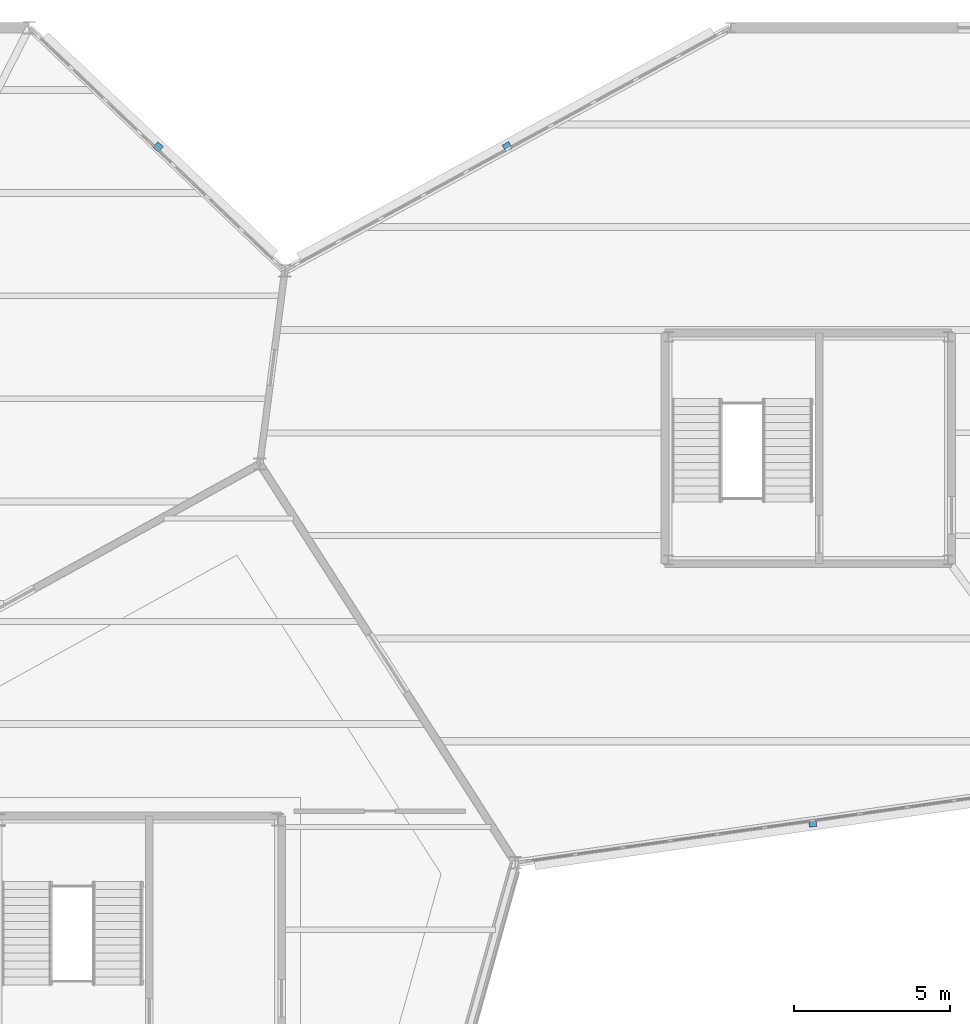
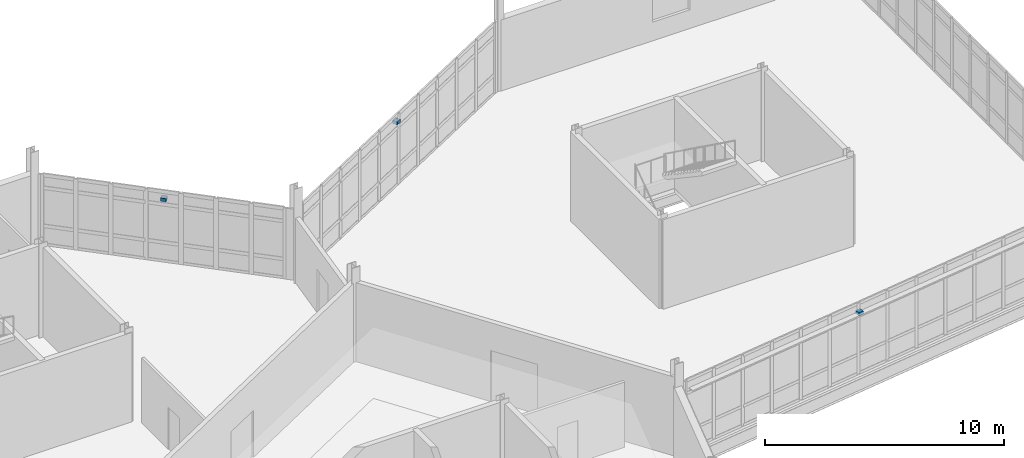
# One storey, part 127 of 134: 3 discrete accessories.
"""IFC4 building model written with IfcOpenShell, lengths in metres."""

from ifc_helpers import new_model, si_unit, direction, frame, origin, origin_2d, place, context, subcontext, project, spatial, rectangle, extrude, material, type_object, element, save


model = new_model("IFC4")

# Units and contexts
model_context = context("Model", 3, precision=1e-05, world=origin(), true_north=direction((0.0, 1.0)))
body_context = subcontext(model_context, "Body", "Model", "MODEL_VIEW")
ifc_project = project(units=[si_unit("LENGTHUNIT", "METRE"), si_unit("AREAUNIT", "SQUARE_METRE"), si_unit("VOLUMEUNIT", "CUBIC_METRE"), si_unit("PLANEANGLEUNIT", "RADIAN"), si_unit("MASSUNIT", "GRAM", prefix="KILO")], contexts=[model_context])

# Site, building, storey
site_placement = place(None, origin())
site = spatial("IfcSite", under=ifc_project, at=site_placement, CompositionType="ELEMENT")
building_placement = place(site_placement, origin())
building = spatial("IfcBuilding", under=site, at=building_placement, Name="Tameran Prism Museum", CompositionType="ELEMENT")
storey_placement = place(building_placement, frame((0.0, 0.0, 5.39990234375)))
storey = spatial("IfcBuildingStorey", under=building, at=storey_placement, Name="L01", CompositionType="ELEMENT", Elevation=5.39990234375)

# Discrete accessories
ifc_material = material(Name="Galvanized Steel Grade 350 (350 MPa)", Category="steel")
discrete_accessory_type = type_object("IfcDiscreteAccessoryType", Name="DA-BRK-STL", PredefinedType="BRACKET", material=ifc_material)
for number, where, z_axis, x_axis, name in (
    (1, (131.633056640625, 108.177978515625, 3.09033203125), (0.0, 0.0, 1.0), (0.724532846102, -0.689240273721, 0.0), "Facade Sunshade Bracket BK-019"),
    (2, (152.64111328125, 86.47509765625, 3.09033203125), (0.0, 0.0, 1.0), (-0.990048234542, -0.140728438067, 0.0), "Facade Sunshade Bracket BK-020"),
    (3, (142.839111328125, 108.18408203125, 3.09033203125), (0.0, 0.0, 1.0), (0.877899414566, 0.478845087586, 0.0), "Facade Sunshade Bracket BK-021"),
):
    element("IfcDiscreteAccessory", number, at=place(storey_placement, frame(where, z_axis=z_axis, x_axis=x_axis)), inside=storey, type_object=discrete_accessory_type, Name=name, PredefinedType="BRACKET", context=body_context, shape_type="SweptSolid", body=[
        extrude(rectangle(XDim=0.239990234375, YDim=0.239990234375, at=origin_2d()), origin(), (0.0, 0.0, 1.0), 0.159912109375),
    ])

save(model, "model.ifc")
